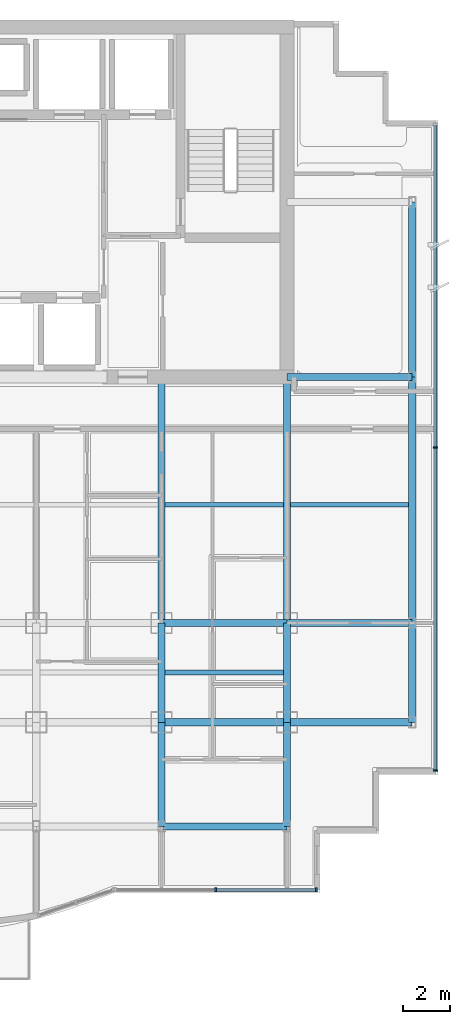
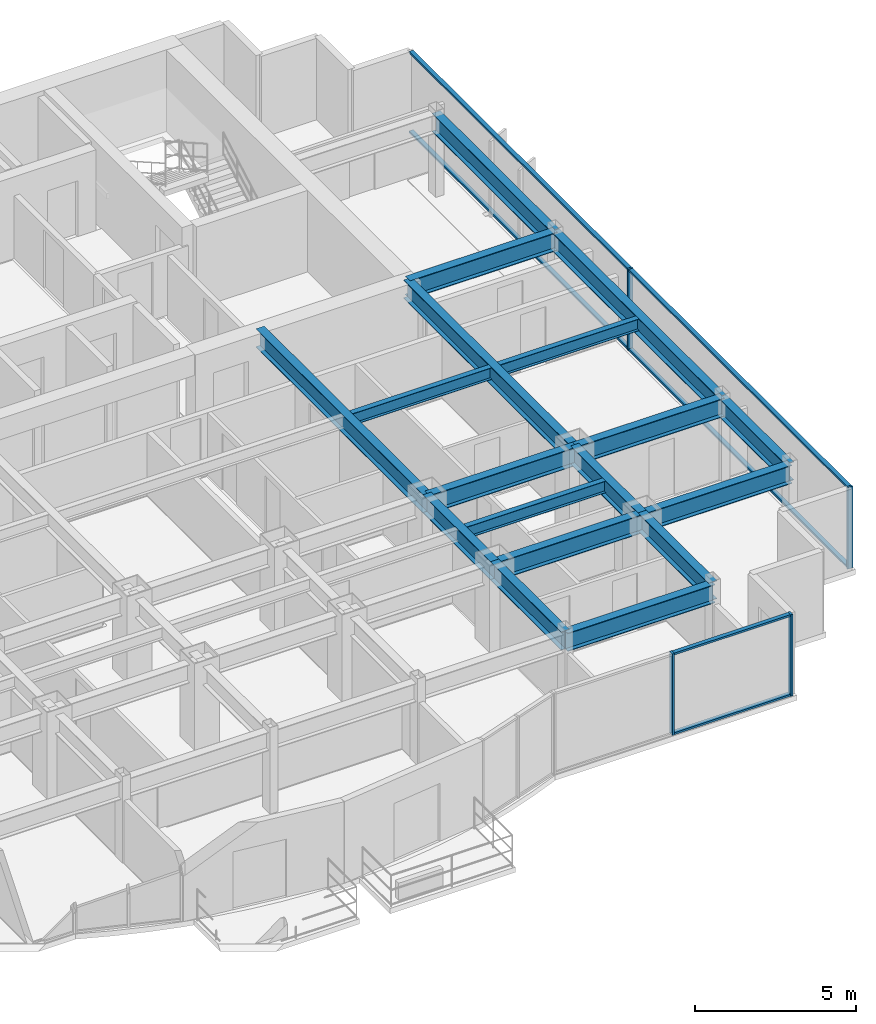
# One storey, part 4 of 13: 18 beams, 10 members, 2 elements without a shape of their own.
"""IFC4 building model written with IfcOpenShell, lengths in metres."""

from ifc_helpers import new_model, si_unit, direction, frame, origin, origin_2d, place, context, subcontext, project, spatial, rectangle, i_section, extrude, source, transform, mapped, material, layer, layer_set, material_profile, profile_set, type_object, element, aggregate, save


model = new_model("IFC4")

# Units and contexts
model_context = context("Model", 3, precision=1e-05, world=origin(), true_north=direction((0.0, 1.0)))
body_context = subcontext(model_context, "Body", "Model", "MODEL_VIEW")
ifc_project = project(units=[si_unit("LENGTHUNIT", "METRE"), si_unit("AREAUNIT", "SQUARE_METRE"), si_unit("VOLUMEUNIT", "CUBIC_METRE"), si_unit("PLANEANGLEUNIT", "RADIAN"), si_unit("MASSUNIT", "GRAM", prefix="KILO")], contexts=[model_context])

# Site, building, storey
site_placement = place(None, origin())
site = spatial("IfcSite", under=ifc_project, at=site_placement, CompositionType="ELEMENT")
building_placement = place(site_placement, origin())
building = spatial("IfcBuilding", under=site, at=building_placement, Name="Qianlan Lanfeng Residences", CompositionType="ELEMENT")
storey_placement = place(building_placement, frame((0.0, 0.0, 139.199951171875)))
storey = spatial("IfcBuildingStorey", under=building, at=storey_placement, Name="L37", CompositionType="ELEMENT", Elevation=139.199951171875)

# Beams
ifc_material_1 = material(Name="Steel SN490B", Category="steel")
ifc_material_profile_1 = material_profile(ifc_material_1, i_section(OverallWidth=0.300048828125, OverallDepth=0.699951171875, WebThickness=0.012939453125, FlangeThickness=0.02392578125, at=origin_2d()), Name="H 700x300x13x24")
ifc_profile_set_1 = profile_set([ifc_material_profile_1], Name="Steel SN490B")
beam_type_1 = type_object("IfcBeamType", Name="G-750", PredefinedType="BEAM", material=ifc_profile_set_1)
beam_1_placement = place(storey_placement, frame((37.10009765625, 10.60009765625, 2.75), z_axis=(1.0, 0.0, 0.0), x_axis=(0.0, 1.0, 0.0)))
element("IfcBeam", 1, at=beam_1_placement, inside=storey, type_object=beam_type_1, Name="Structural beam G-750", PredefinedType="BEAM", context=body_context, shape_type="SweptSolid", body=[
    extrude(i_section(OverallWidth=0.300048828125, OverallDepth=0.699951171875, WebThickness=0.012939453125, FlangeThickness=0.02392578125, at=origin_2d()), origin(), (0.0, 0.0, 1.0), 5.2998046875),
])
beam_2_placement = place(storey_placement, frame((42.39990234375, 10.60009765625, 2.75), z_axis=(1.0, 0.0, 0.0), x_axis=(0.0, 1.0, 0.0)))
element("IfcBeam", 2, at=beam_2_placement, inside=storey, type_object=beam_type_1, Name="Structural beam G-750", PredefinedType="BEAM", context=body_context, shape_type="SweptSolid", body=[
    extrude(i_section(OverallWidth=0.300048828125, OverallDepth=0.699951171875, WebThickness=0.012939453125, FlangeThickness=0.02392578125, at=origin_2d()), origin(), (0.0, 0.0, 1.0), 5.300048828125),
])
beam_3_placement = place(storey_placement, frame((37.10009765625, 14.800048828125, 2.75), z_axis=(1.0, 0.0, 0.0), x_axis=(0.0, 1.0, 0.0)))
element("IfcBeam", 3, at=beam_3_placement, inside=storey, type_object=beam_type_1, Name="Structural beam G-750", PredefinedType="BEAM", context=body_context, shape_type="SweptSolid", body=[
    extrude(i_section(OverallWidth=0.300048828125, OverallDepth=0.699951171875, WebThickness=0.012939453125, FlangeThickness=0.02392578125, at=origin_2d()), origin(), (0.0, 0.0, 1.0), 5.2998046875),
])
for number, where, z_axis, x_axis, name in (
    (4, (42.39990234375, 14.800048828125, 2.75), (1.0, 0.0, 0.0), (0.0, 1.0, 0.0), "Structural beam G-750"),
    (5, (42.39990234375, 25.199951171875, 2.75), (1.0, 0.0, 0.0), (0.0, 1.0, 0.0), "Structural beam G-750"),
):
    element("IfcBeam", number, at=place(storey_placement, frame(where, z_axis=z_axis, x_axis=x_axis)), inside=storey, type_object=beam_type_1, Name=name, PredefinedType="BEAM", context=body_context, shape_type="SweptSolid", body=[
        extrude(i_section(OverallWidth=0.300048828125, OverallDepth=0.699951171875, WebThickness=0.012939453125, FlangeThickness=0.02392578125, at=origin_2d()), origin(), (0.0, 0.0, 1.0), 5.300048828125),
    ])
beam_4_placement = place(storey_placement, frame((37.10009765625, 6.199951171875, 2.75), z_axis=(0.0, 1.0, 0.0), x_axis=(-1.0, 0.0, 0.0)))
element("IfcBeam", 6, at=beam_4_placement, inside=storey, type_object=beam_type_1, Name="Structural beam G-750", PredefinedType="BEAM", context=body_context, shape_type="SweptSolid", body=[
    extrude(i_section(OverallWidth=0.300048828125, OverallDepth=0.699951171875, WebThickness=0.012939453125, FlangeThickness=0.02392578125, at=origin_2d()), origin(), (0.0, 0.0, 1.0), 4.400146484375),
])
beam_5_placement = place(storey_placement, frame((37.10009765625, 10.60009765625, 2.75), z_axis=(0.0, 1.0, 0.0), x_axis=(-1.0, 0.0, 0.0)))
element("IfcBeam", 7, at=beam_5_placement, inside=storey, type_object=beam_type_1, Name="Structural beam G-750", PredefinedType="BEAM", context=body_context, shape_type="SweptSolid", body=[
    extrude(i_section(OverallWidth=0.300048828125, OverallDepth=0.699951171875, WebThickness=0.012939453125, FlangeThickness=0.02392578125, at=origin_2d()), origin(), (0.0, 0.0, 1.0), 4.199951171875),
])
beam_6_placement = place(storey_placement, frame((37.10009765625, 14.800048828125, 2.75), z_axis=(0.0, 1.0, 0.0), x_axis=(-1.0, 0.0, 0.0)))
element("IfcBeam", 8, at=beam_6_placement, inside=storey, type_object=beam_type_1, Name="Structural beam G-750", PredefinedType="BEAM", context=body_context, shape_type="SweptSolid", body=[
    extrude(i_section(OverallWidth=0.300048828125, OverallDepth=0.699951171875, WebThickness=0.012939453125, FlangeThickness=0.02392578125, at=origin_2d()), origin(), (0.0, 0.0, 1.0), 10.39990234375),
])
beam_7_placement = place(storey_placement, frame((42.39990234375, 6.199951171875, 2.75), z_axis=(0.0, 1.0, 0.0), x_axis=(-1.0, 0.0, 0.0)))
element("IfcBeam", 9, at=beam_7_placement, inside=storey, type_object=beam_type_1, Name="Structural beam G-750", PredefinedType="BEAM", context=body_context, shape_type="SweptSolid", body=[
    extrude(i_section(OverallWidth=0.300048828125, OverallDepth=0.699951171875, WebThickness=0.012939453125, FlangeThickness=0.02392578125, at=origin_2d()), origin(), (0.0, 0.0, 1.0), 4.400146484375),
])
beam_8_placement = place(storey_placement, frame((42.39990234375, 10.60009765625, 2.75), z_axis=(0.0, 1.0, 0.0), x_axis=(-1.0, 0.0, 0.0)))
element("IfcBeam", 10, at=beam_8_placement, inside=storey, type_object=beam_type_1, Name="Structural beam G-750", PredefinedType="BEAM", context=body_context, shape_type="SweptSolid", body=[
    extrude(i_section(OverallWidth=0.300048828125, OverallDepth=0.699951171875, WebThickness=0.012939453125, FlangeThickness=0.02392578125, at=origin_2d()), origin(), (0.0, 0.0, 1.0), 4.199951171875),
])
beam_9_placement = place(storey_placement, frame((42.39990234375, 14.800048828125, 2.75), z_axis=(0.0, 1.0, 0.0), x_axis=(-1.0, 0.0, 0.0)))
element("IfcBeam", 11, at=beam_9_placement, inside=storey, type_object=beam_type_1, Name="Structural beam G-750", PredefinedType="BEAM", context=body_context, shape_type="SweptSolid", body=[
    extrude(i_section(OverallWidth=0.300048828125, OverallDepth=0.699951171875, WebThickness=0.012939453125, FlangeThickness=0.02392578125, at=origin_2d()), origin(), (0.0, 0.0, 1.0), 10.39990234375),
])
ifc_material_profile_2 = material_profile(ifc_material_1, i_section(OverallWidth=0.199951171875, OverallDepth=0.449951171875, WebThickness=0.009033203125, FlangeThickness=0.013916015625, at=origin_2d()), Name="H 450x200x9x14")
ifc_profile_set_2 = profile_set([ifc_material_profile_2], Name="Steel SN490B")
beam_type_2 = type_object("IfcBeamType", Name="J-450", PredefinedType="JOIST", material=ifc_profile_set_2)
for number, where, z_axis, x_axis, name in (
    (12, (37.25, 12.699951171875, 2.875), (1.0, 0.0, 0.0), (0.0, 1.0, 0.0), "Structural beam J-450"),
    (13, (37.25, 19.800048828125, 2.875), (1.0, 0.0, 0.0), (0.0, 1.0, 0.0), "Structural beam J-450"),
    (14, (42.550048828125, 19.800048828125, 2.875), (1.0, 0.0, 0.0), (0.0, 1.0, 0.0), "Structural beam J-450"),
):
    element("IfcBeam", number, at=place(storey_placement, frame(where, z_axis=z_axis, x_axis=x_axis)), inside=storey, type_object=beam_type_2, Name=name, PredefinedType="JOIST", context=body_context, shape_type="SweptSolid", body=[
        extrude(i_section(OverallWidth=0.199951171875, OverallDepth=0.449951171875, WebThickness=0.009033203125, FlangeThickness=0.013916015625, at=origin_2d()), origin(), (0.0, 0.0, 1.0), 5.0),
    ])
ifc_material_profile_3 = material_profile(ifc_material_1, i_section(OverallWidth=0.300048828125, OverallDepth=0.699951171875, WebThickness=0.012939453125, FlangeThickness=0.02392578125, at=origin_2d()), Name="H 700x300x13x24")
ifc_profile_set_3 = profile_set([ifc_material_profile_3], Name="Steel SN490B")
beam_type_3 = type_object("IfcBeamType", Name="SG-750", PredefinedType="SPANDREL", material=ifc_profile_set_3)
beam_10_placement = place(storey_placement, frame((37.10009765625, 6.199951171875, 2.739990234375), z_axis=(1.0, 0.0, 0.0), x_axis=(0.0, 1.0, 0.0)))
element("IfcBeam", 15, at=beam_10_placement, inside=storey, type_object=beam_type_3, Name="Structural beam SG-750", PredefinedType="SPANDREL", context=body_context, shape_type="SweptSolid", body=[
    extrude(i_section(OverallWidth=0.300048828125, OverallDepth=0.699951171875, WebThickness=0.012939453125, FlangeThickness=0.02392578125, at=origin_2d()), origin(), (0.0, 0.0, 1.0), 5.2998046875),
])
beam_11_placement = place(storey_placement, frame((47.699951171875, 10.60009765625, 2.739990234375), z_axis=(0.0, 1.0, 0.0), x_axis=(-1.0, 0.0, 0.0)))
element("IfcBeam", 16, at=beam_11_placement, inside=storey, type_object=beam_type_3, Name="Structural beam SG-750", PredefinedType="SPANDREL", context=body_context, shape_type="SweptSolid", body=[
    extrude(i_section(OverallWidth=0.300048828125, OverallDepth=0.699951171875, WebThickness=0.012939453125, FlangeThickness=0.02392578125, at=origin_2d()), origin(), (0.0, 0.0, 1.0), 4.199951171875),
])
beam_12_placement = place(storey_placement, frame((47.699951171875, 14.800048828125, 2.739990234375), z_axis=(0.0, 1.0, 0.0), x_axis=(-1.0, 0.0, 0.0)))
element("IfcBeam", 17, at=beam_12_placement, inside=storey, type_object=beam_type_3, Name="Structural beam SG-750", PredefinedType="SPANDREL", context=body_context, shape_type="SweptSolid", body=[
    extrude(i_section(OverallWidth=0.300048828125, OverallDepth=0.699951171875, WebThickness=0.012939453125, FlangeThickness=0.02392578125, at=origin_2d()), origin(), (0.0, 0.0, 1.0), 10.39990234375),
])
beam_13_placement = place(storey_placement, frame((47.699951171875, 25.199951171875, 2.739990234375), z_axis=(0.0, 1.0, 0.0), x_axis=(-1.0, 0.0, 0.0)))
element("IfcBeam", 18, at=beam_13_placement, inside=storey, type_object=beam_type_3, Name="Structural beam SG-750", PredefinedType="SPANDREL", context=body_context, shape_type="SweptSolid", body=[
    extrude(i_section(OverallWidth=0.300048828125, OverallDepth=0.699951171875, WebThickness=0.012939453125, FlangeThickness=0.02392578125, at=origin_2d()), origin(), (0.0, 0.0, 1.0), 7.400146484375),
])

# Curtain wall, members
ifc_material_2 = material(Name="Anodised Bronze Aluminium 6063-T6", Category="aluminium")
ifc_layer = layer(ifc_material_2, 0.219970703125)
ifc_layer_set = layer_set([ifc_layer], Name="Anodised Bronze Aluminium 6063-T6")
curtain_wall_type = type_object("IfcCurtainWallType", Name="CW-04", PredefinedType="NOTDEFINED", material=ifc_layer_set)
curtain_wall_1_placement = place(storey_placement, origin())
curtain_wall_1 = element("IfcCurtainWall", 19, at=curtain_wall_1_placement, inside=storey, type_object=curtain_wall_type, Name="L37 Unitised Curtain Wall CWR-L37-04 (CW-04)", PredefinedType="NOTDEFINED")
ifc_material_profile_4 = material_profile(ifc_material_2, rectangle(XDim=0.074951171875, YDim=0.14990234375, at=origin_2d()), Name="ALU TRANSOM 75x150")
ifc_profile_set_4 = profile_set([ifc_material_profile_4], Name="Anodised Bronze Aluminium 6063-T6")
member_type_1 = type_object("IfcMemberType", Name="CWT-150", PredefinedType="USERDEFINED", material=ifc_profile_set_4)
shared_shape_1 = source(origin(), body_context, "Body", "SweptSolid", [
    extrude(rectangle(XDim=0.074951171875, YDim=0.14990234375, at=origin_2d()), origin(), (0.0, 0.0, 1.0), 4.178955078125),
])
member_1_placement = place(storey_placement, frame((39.426025390625, 3.52001953125, 0.03759765625), z_axis=(1.0, 0.0, 0.0), x_axis=(0.0, 0.0, 1.0)))
member_1 = element("IfcMember", 20, at=member_1_placement, type_object=member_type_1, Name="CWR-L37-04 Transom 2-BOT", ObjectType="TRANSOM", PredefinedType="USERDEFINED", context=body_context, shape_type="MappedRepresentation", body=[
    mapped(shared_shape_1, transform((0.0, 0.0, 0.0), scale=1.0)),
])
member_2_placement = place(storey_placement, frame((39.426025390625, 3.52001953125, 3.0625), z_axis=(1.0, 0.0, 0.0), x_axis=(0.0, 0.0, 1.0)))
member_2 = element("IfcMember", 21, at=member_2_placement, type_object=member_type_1, Name="CWR-L37-04 Transom 2-TOP", ObjectType="TRANSOM", PredefinedType="USERDEFINED", context=body_context, shape_type="MappedRepresentation", body=[
    mapped(shared_shape_1, transform((0.0, 0.0, 0.0), scale=1.0)),
])
ifc_material_profile_5 = material_profile(ifc_material_2, rectangle(XDim=0.074951171875, YDim=0.179931640625, at=origin_2d()), Name="ALU MULLION 75x180")
ifc_profile_set_5 = profile_set([ifc_material_profile_5], Name="Anodised Bronze Aluminium 6063-T6")
member_type_2 = type_object("IfcMemberType", Name="CWM-180", PredefinedType="MULLION", material=ifc_profile_set_5)
shared_shape_2 = source(origin(), body_context, "Body", "SweptSolid", [
    extrude(rectangle(XDim=0.074951171875, YDim=0.179931640625, at=origin_2d()), origin(), (0.0, 0.0, 1.0), 3.10009765625),
])
member_3_placement = place(storey_placement, frame((39.388427734375, 3.52001953125, 0.0), z_axis=(0.0, 0.0, 1.0), x_axis=(1.0, 0.0, 0.0)))
member_3 = element("IfcMember", 22, at=member_3_placement, type_object=member_type_2, Name="CWR-L37-04 Mullion 2", PredefinedType="MULLION", context=body_context, shape_type="MappedRepresentation", body=[
    mapped(shared_shape_2, transform((0.0, 0.0, 0.0), scale=1.0)),
])
member_4_placement = place(storey_placement, frame((43.642578125, 3.52001953125, 0.0), z_axis=(0.0, 0.0, 1.0), x_axis=(1.0, 0.0, 0.0)))
member_4 = element("IfcMember", 23, at=member_4_placement, type_object=member_type_2, Name="CWR-L37-04 Mullion 3", PredefinedType="MULLION", context=body_context, shape_type="MappedRepresentation", body=[
    mapped(shared_shape_2, transform((0.0, 0.0, 0.0), scale=1.0)),
])
aggregate(curtain_wall_1, [member_3, member_4, member_1, member_2])

curtain_wall_2_placement = place(storey_placement, origin())
curtain_wall_2 = element("IfcCurtainWall", 24, at=curtain_wall_2_placement, inside=storey, type_object=curtain_wall_type, Name="L37 Unitised Curtain Wall CWR-L37-05 (CW-04)", PredefinedType="NOTDEFINED")
member_5_placement = place(storey_placement, frame((48.679931640625, 8.5576171875, 0.0), z_axis=(0.0, 0.0, 1.0), x_axis=(0.0, 1.0, 0.0)))
member_5 = element("IfcMember", 25, at=member_5_placement, type_object=member_type_2, Name="CWR-L37-05 Mullion 1", PredefinedType="MULLION", context=body_context, shape_type="MappedRepresentation", body=[
    mapped(shared_shape_2, transform((0.0, 0.0, 0.0), scale=1.0)),
])
member_6_placement = place(storey_placement, frame((48.679931640625, 22.22509765625, 0.0), z_axis=(0.0, 0.0, 1.0), x_axis=(0.0, 1.0, 0.0)))
member_6 = element("IfcMember", 26, at=member_6_placement, type_object=member_type_2, Name="CWR-L37-05 Mullion 2", PredefinedType="MULLION", context=body_context, shape_type="MappedRepresentation", body=[
    mapped(shared_shape_2, transform((0.0, 0.0, 0.0), scale=1.0)),
])
shared_shape_3 = source(origin(), body_context, "Body", "SweptSolid", [
    extrude(rectangle(XDim=0.074951171875, YDim=0.14990234375, at=origin_2d()), origin(), (0.0, 0.0, 1.0), 13.592529296875),
])
member_7_placement = place(storey_placement, frame((48.679931640625, 8.594970703125, 0.03759765625), z_axis=(0.0, 1.0, 0.0), x_axis=(0.0, 0.0, 1.0)))
member_7 = element("IfcMember", 27, at=member_7_placement, type_object=member_type_1, Name="CWR-L37-05 Transom 1-BOT", ObjectType="TRANSOM", PredefinedType="USERDEFINED", context=body_context, shape_type="MappedRepresentation", body=[
    mapped(shared_shape_3, transform((0.0, 0.0, 0.0), scale=1.0)),
])
member_8_placement = place(storey_placement, frame((48.679931640625, 8.594970703125, 3.0625), z_axis=(0.0, 1.0, 0.0), x_axis=(0.0, 0.0, 1.0)))
member_8 = element("IfcMember", 28, at=member_8_placement, type_object=member_type_1, Name="CWR-L37-05 Transom 1-TOP", ObjectType="TRANSOM", PredefinedType="USERDEFINED", context=body_context, shape_type="MappedRepresentation", body=[
    mapped(shared_shape_3, transform((0.0, 0.0, 0.0), scale=1.0)),
])
member_9_placement = place(storey_placement, frame((48.679931640625, 22.262451171875, 0.03759765625), z_axis=(0.0, 1.0, 0.0), x_axis=(0.0, 0.0, 1.0)))
member_9 = element("IfcMember", 29, at=member_9_placement, type_object=member_type_1, Name="CWR-L37-05 Transom 2-BOT", ObjectType="TRANSOM", PredefinedType="USERDEFINED", context=body_context, shape_type="MappedRepresentation", body=[
    mapped(shared_shape_3, transform((0.0, 0.0, 0.0), scale=1.0)),
])
member_10_placement = place(storey_placement, frame((48.679931640625, 22.262451171875, 3.0625), z_axis=(0.0, 1.0, 0.0), x_axis=(0.0, 0.0, 1.0)))
member_10 = element("IfcMember", 30, at=member_10_placement, type_object=member_type_1, Name="CWR-L37-05 Transom 2-TOP", ObjectType="TRANSOM", PredefinedType="USERDEFINED", context=body_context, shape_type="MappedRepresentation", body=[
    mapped(shared_shape_3, transform((0.0, 0.0, 0.0), scale=1.0)),
])
aggregate(curtain_wall_2, [member_5, member_6, member_7, member_8, member_9, member_10])

save(model, "model.ifc")
